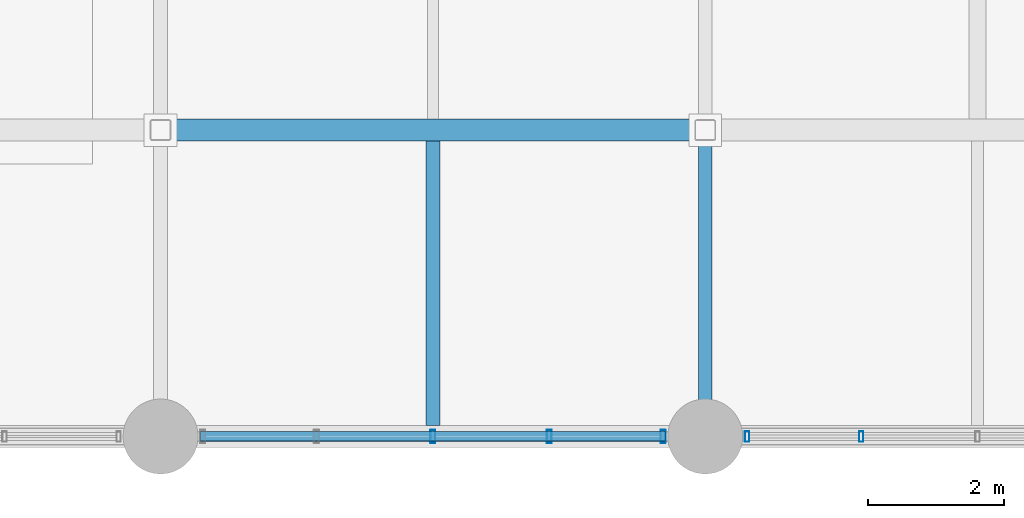
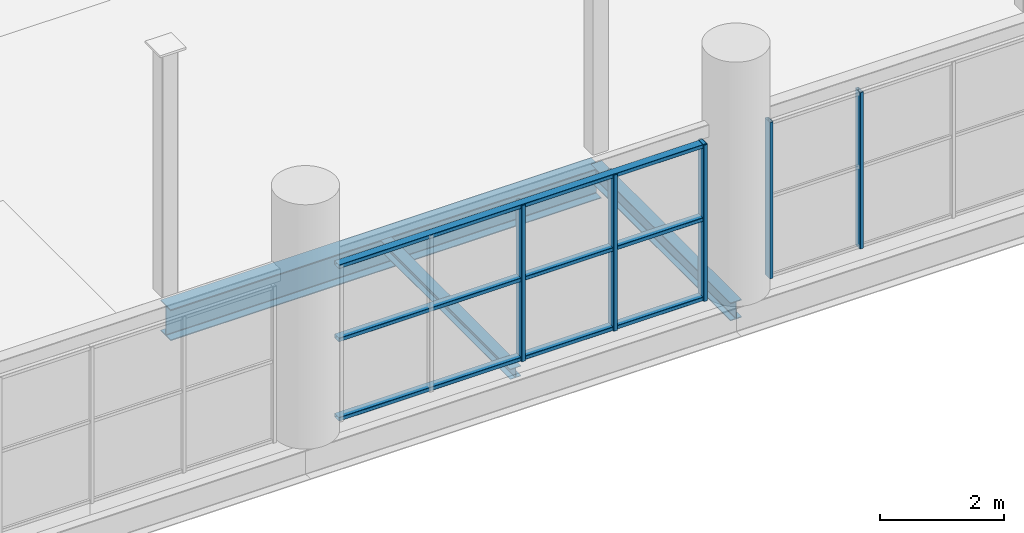
# One storey, part 29 of 114: 8 members, 3 beams, 2 elements without a shape of their own.
"""IFC4 building model written with IfcOpenShell, lengths in metres."""

from ifc_helpers import new_model, si_unit, direction, frame, origin, origin_2d, place, context, subcontext, project, spatial, hollow_rectangle, i_section, extrude, material, material_profile, profile_set, type_object, element, aggregate, save


model = new_model("IFC4")

# Units and contexts
model_context = context("Model", 3, precision=1e-05, world=origin(), true_north=direction((0.0, 1.0)))
body_context = subcontext(model_context, "Body", "Model", "MODEL_VIEW")
ifc_project = project(units=[si_unit("LENGTHUNIT", "METRE"), si_unit("AREAUNIT", "SQUARE_METRE"), si_unit("VOLUMEUNIT", "CUBIC_METRE"), si_unit("PLANEANGLEUNIT", "RADIAN"), si_unit("MASSUNIT", "GRAM", prefix="KILO")], contexts=[model_context])

# Site, building, storey
site_placement = place(None, origin())
site = spatial("IfcSite", under=ifc_project, at=site_placement, CompositionType="ELEMENT")
building_placement = place(site_placement, origin())
building = spatial("IfcBuilding", under=site, at=building_placement, Name="Verrall Gate Interchange", CompositionType="ELEMENT")
storey_placement = place(building_placement, frame((0.0, 0.0, 6.60009765625)))
storey = spatial("IfcBuildingStorey", under=building, at=storey_placement, Name="L02", CompositionType="ELEMENT", Elevation=6.60009765625)

# Beams
ifc_material_1 = material(Name="Structural Steel CSA G40.21 350WT Cat 4", Category="steel")
ifc_material_profile_1 = material_profile(ifc_material_1, i_section(OverallWidth=0.323974609375, OverallDepth=0.611083984375, WebThickness=0.0126953125, FlangeThickness=0.01904296875, FilletRadius=0.014892578125, at=origin_2d()), Name="W610x155")
ifc_profile_set_1 = profile_set([ifc_material_profile_1], Name="Structural Steel CSA G40.21 350WT Cat 4")
beam_type_1 = type_object("IfcBeamType", Name="B-08 Structural Beam W610x155", PredefinedType="BEAM", material=ifc_profile_set_1)
beam_1_placement = place(storey_placement, frame((76.0, 4.5, -0.585693359375), z_axis=(1.0, 0.0, 0.0), x_axis=(0.0, 1.0, 0.0)))
element("IfcBeam", 1, at=beam_1_placement, inside=storey, type_object=beam_type_1, Name="L02 Girder BM-L02-1462 (B-08)", PredefinedType="BEAM", context=body_context, shape_type="SweptSolid", body=[
    extrude(i_section(OverallWidth=0.323974609375, OverallDepth=0.611083984375, WebThickness=0.0126953125, FlangeThickness=0.01904296875, FilletRadius=0.014892578125, at=origin_2d()), origin(), (0.0, 0.0, 1.0), 8.0),
])
ifc_material_2 = material(Name="Structural Steel CSA G40.21 350W", Category="steel")
ifc_material_profile_2 = material_profile(ifc_material_2, i_section(OverallWidth=0.205078125, OverallDepth=0.35400390625, WebThickness=0.009521484375, FlangeThickness=0.016845703125, FilletRadius=0.012939453125, at=origin_2d()), Name="W360x79")
ifc_profile_set_2 = profile_set([ifc_material_profile_2], Name="Structural Steel CSA G40.21 350W")
beam_type_2 = type_object("IfcBeamType", Name="B-14 Structural Beam W360x79", PredefinedType="BEAM", material=ifc_profile_set_2)
beam_2_placement = place(storey_placement, frame((84.0, 0.0, -0.45703125), z_axis=(0.0, 1.0, 0.0), x_axis=(-1.0, 0.0, 0.0)))
element("IfcBeam", 2, at=beam_2_placement, inside=storey, type_object=beam_type_2, Name="L02 Girder BM-L02-1756 (B-14)", PredefinedType="BEAM", context=body_context, shape_type="SweptSolid", body=[
    extrude(i_section(OverallWidth=0.205078125, OverallDepth=0.35400390625, WebThickness=0.009521484375, FlangeThickness=0.016845703125, FilletRadius=0.012939453125, at=origin_2d()), origin(), (0.0, 0.0, 1.0), 4.5),
])

# Curtain wall, members
ifc_material_3 = material(Name="Thermally Broken Anodized Aluminium Curtain Wall Framing", Category="aluminium")
curtain_wall_type = type_object("IfcCurtainWallType", Name="CW-14 Unitized Curtain Wall 6836x3070", PredefinedType="NOTDEFINED", material=ifc_material_3)
curtain_wall_1_placement = place(storey_placement, origin())
curtain_wall_1 = element("IfcCurtainWall", 3, at=curtain_wall_1_placement, inside=storey, type_object=curtain_wall_type, Name="L02 Unitized Curtain Wall CW-L02-058", PredefinedType="NOTDEFINED")
ifc_material_4 = material(Name="Thermally Broken Anodized Aluminium Curtain Wall Framing", Category="aluminium")
ifc_material_profile_3 = material_profile(ifc_material_4, hollow_rectangle(XDim=0.06494140625, YDim=0.159912109375, WallThickness=0.00390625, InnerFilletRadius=0.00390625, OuterFilletRadius=0.008056640625, at=origin_2d()), Name="CWM160x65x4")
ifc_profile_set_3 = profile_set([ifc_material_profile_3], Name="Thermally Broken Anodized Aluminium Curtain Wall Framing")
member_type_1 = type_object("IfcMemberType", Name="CM-01 Curtain Mullion CWM160x65x4", PredefinedType="MULLION", material=ifc_profile_set_3)
member_1_placement = place(storey_placement, frame((84.614501953125, 0.0, 0.0), z_axis=(0.0, 0.0, 1.0), x_axis=(1.0, 0.0, 0.0)))
member_1 = element("IfcMember", 4, at=member_1_placement, type_object=member_type_1, Name="CW-L02-058 Mullion 1", PredefinedType="MULLION", context=body_context, shape_type="SweptSolid", body=[
    extrude(hollow_rectangle(XDim=0.06494140625, YDim=0.159912109375, WallThickness=0.00390625, InnerFilletRadius=0.00390625, OuterFilletRadius=0.008056640625, at=origin_2d()), origin(), (0.0, 0.0, 1.0), 3.06982421875),
])
member_2_placement = place(storey_placement, frame((86.291015625, 0.0, 0.0), z_axis=(0.0, 0.0, 1.0), x_axis=(1.0, 0.0, 0.0)))
member_2 = element("IfcMember", 5, at=member_2_placement, type_object=member_type_1, Name="CW-L02-058 Mullion 2", PredefinedType="MULLION", context=body_context, shape_type="SweptSolid", body=[
    extrude(hollow_rectangle(XDim=0.06494140625, YDim=0.159912109375, WallThickness=0.00390625, InnerFilletRadius=0.00390625, OuterFilletRadius=0.008056640625, at=origin_2d()), origin(), (0.0, 0.0, 1.0), 3.06982421875),
])
aggregate(curtain_wall_1, [member_1, member_2])

curtain_wall_2_placement = place(storey_placement, origin())
curtain_wall_2 = element("IfcCurtainWall", 6, at=curtain_wall_2_placement, inside=storey, type_object=curtain_wall_type, Name="L02 Unitized Curtain Wall CW-L02-057", PredefinedType="NOTDEFINED")
ifc_material_5 = material(Name="Thermally Broken Anodized Aluminium Curtain Wall Framing", Category="aluminium")
ifc_material_profile_4 = material_profile(ifc_material_5, hollow_rectangle(XDim=0.074951171875, YDim=0.199951171875, WallThickness=0.0048828125, InnerFilletRadius=0.0048828125, OuterFilletRadius=0.010009765625, at=origin_2d()), Name="CWM200x75x5")
ifc_profile_set_4 = profile_set([ifc_material_profile_4], Name="Thermally Broken Anodized Aluminium Curtain Wall Framing")
member_type_2 = type_object("IfcMemberType", Name="CM-02 Curtain Mullion CWM200x75x5", PredefinedType="MULLION", material=ifc_profile_set_4)
member_3_placement = place(storey_placement, frame((80.0, 0.0, 0.0), z_axis=(0.0, 0.0, 1.0), x_axis=(1.0, 0.0, 0.0)))
member_3 = element("IfcMember", 7, at=member_3_placement, type_object=member_type_2, Name="CW-L02-057 Mullion 3", PredefinedType="MULLION", context=body_context, shape_type="SweptSolid", body=[
    extrude(hollow_rectangle(XDim=0.074951171875, YDim=0.199951171875, WallThickness=0.0048828125, InnerFilletRadius=0.0048828125, OuterFilletRadius=0.010009765625, at=origin_2d()), origin(), (0.0, 0.0, 1.0), 3.06982421875),
])
member_4_placement = place(storey_placement, frame((81.708984375, 0.0, 0.0), z_axis=(0.0, 0.0, 1.0), x_axis=(1.0, 0.0, 0.0)))
member_4 = element("IfcMember", 8, at=member_4_placement, type_object=member_type_2, Name="CW-L02-057 Mullion 4", PredefinedType="MULLION", context=body_context, shape_type="SweptSolid", body=[
    extrude(hollow_rectangle(XDim=0.074951171875, YDim=0.199951171875, WallThickness=0.0048828125, InnerFilletRadius=0.0048828125, OuterFilletRadius=0.010009765625, at=origin_2d()), origin(), (0.0, 0.0, 1.0), 3.06982421875),
])
member_5_placement = place(storey_placement, frame((83.380615234375, 0.0, 0.0), z_axis=(0.0, 0.0, 1.0), x_axis=(1.0, 0.0, 0.0)))
member_5 = element("IfcMember", 9, at=member_5_placement, type_object=member_type_2, Name="CW-L02-057 Mullion 5", PredefinedType="MULLION", context=body_context, shape_type="SweptSolid", body=[
    extrude(hollow_rectangle(XDim=0.074951171875, YDim=0.199951171875, WallThickness=0.0048828125, InnerFilletRadius=0.0048828125, OuterFilletRadius=0.010009765625, at=origin_2d()), origin(), (0.0, 0.0, 1.0), 3.06982421875),
])
ifc_material_6 = material(Name="Thermally Broken Anodized Aluminium Curtain Wall Framing", Category="aluminium")
ifc_material_profile_5 = material_profile(ifc_material_6, hollow_rectangle(XDim=0.14990234375, YDim=0.074951171875, WallThickness=0.00439453125, InnerFilletRadius=0.00439453125, OuterFilletRadius=0.009033203125, at=origin_2d()), Name="CWT150x75x4.5")
ifc_profile_set_5 = profile_set([ifc_material_profile_5], Name="Thermally Broken Anodized Aluminium Curtain Wall Framing")
member_type_3 = type_object("IfcMemberType", Name="CT-02 Curtain Transom CWT150x75x4.5", PredefinedType="USERDEFINED", material=ifc_profile_set_5)
member_6_placement = place(storey_placement, frame((76.58203125, 0.0, 0.037353515625), z_axis=(1.0, 0.0, 0.0), x_axis=(0.0, 1.0, 0.0)))
member_6 = element("IfcMember", 10, at=member_6_placement, type_object=member_type_3, Name="CW-L02-057 Transom 1", ObjectType="TRANSOM", PredefinedType="USERDEFINED", context=body_context, shape_type="SweptSolid", body=[
    extrude(hollow_rectangle(XDim=0.14990234375, YDim=0.074951171875, WallThickness=0.00439453125, InnerFilletRadius=0.00439453125, OuterFilletRadius=0.009033203125, at=origin_2d()), origin(), (0.0, 0.0, 1.0), 6.8359375),
])
member_7_placement = place(storey_placement, frame((76.58203125, 0.0, 1.59619140625), z_axis=(1.0, 0.0, 0.0), x_axis=(0.0, 1.0, 0.0)))
member_7 = element("IfcMember", 11, at=member_7_placement, type_object=member_type_3, Name="CW-L02-057 Transom 2", ObjectType="TRANSOM", PredefinedType="USERDEFINED", context=body_context, shape_type="SweptSolid", body=[
    extrude(hollow_rectangle(XDim=0.14990234375, YDim=0.074951171875, WallThickness=0.00439453125, InnerFilletRadius=0.00439453125, OuterFilletRadius=0.009033203125, at=origin_2d()), origin(), (0.0, 0.0, 1.0), 6.8359375),
])
member_8_placement = place(storey_placement, frame((76.58203125, 0.0, 3.032470703125), z_axis=(1.0, 0.0, 0.0), x_axis=(0.0, 1.0, 0.0)))
member_8 = element("IfcMember", 12, at=member_8_placement, type_object=member_type_3, Name="CW-L02-057 Transom 3", ObjectType="TRANSOM", PredefinedType="USERDEFINED", context=body_context, shape_type="SweptSolid", body=[
    extrude(hollow_rectangle(XDim=0.14990234375, YDim=0.074951171875, WallThickness=0.00439453125, InnerFilletRadius=0.00439453125, OuterFilletRadius=0.009033203125, at=origin_2d()), origin(), (0.0, 0.0, 1.0), 6.8359375),
])
aggregate(curtain_wall_2, [member_3, member_4, member_5, member_6, member_7, member_8])

# Beam
ifc_material_7 = material(Name="Structural Steel CSA G40.21 350W", Category="steel")
ifc_material_profile_6 = material_profile(ifc_material_7, i_section(OverallWidth=0.202880859375, OverallDepth=0.202880859375, WebThickness=0.007080078125, FlangeThickness=0.010986328125, FilletRadius=0.010009765625, at=origin_2d()), Name="W200x46")
ifc_profile_set_6 = profile_set([ifc_material_profile_6], Name="Structural Steel CSA G40.21 350W")
beam_type_3 = type_object("IfcBeamType", Name="J-07 Floor Joist W200x46", PredefinedType="JOIST", material=ifc_profile_set_6)
beam_3_placement = place(storey_placement, frame((80.0, 0.162109375, -0.381591796875), z_axis=(0.0, 1.0, 0.0), x_axis=(-1.0, 0.0, 0.0)))
element("IfcBeam", 13, at=beam_3_placement, inside=storey, type_object=beam_type_3, Name="L02 Secondary Floor Joist JST-L02-1849", PredefinedType="JOIST", context=body_context, shape_type="SweptSolid", body=[
    extrude(i_section(OverallWidth=0.202880859375, OverallDepth=0.202880859375, WebThickness=0.007080078125, FlangeThickness=0.010986328125, FilletRadius=0.010009765625, at=origin_2d()), origin(), (0.0, 0.0, 1.0), 4.17578125),
])

save(model, "model.ifc")
